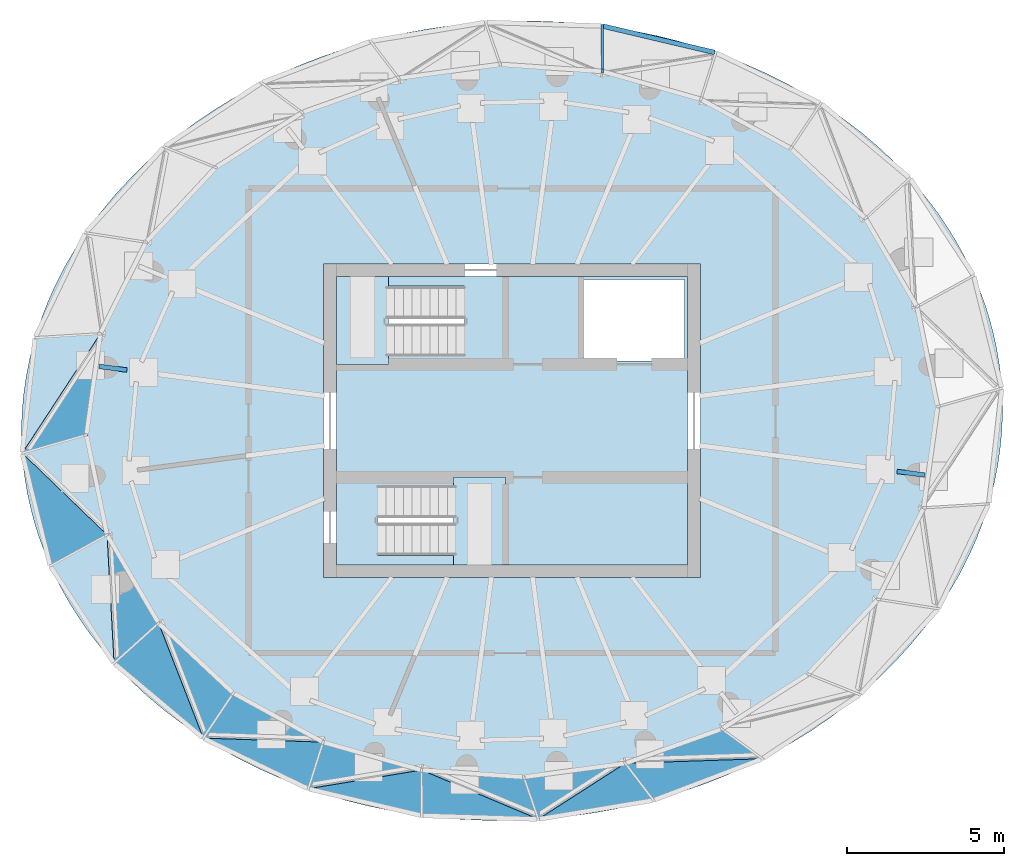
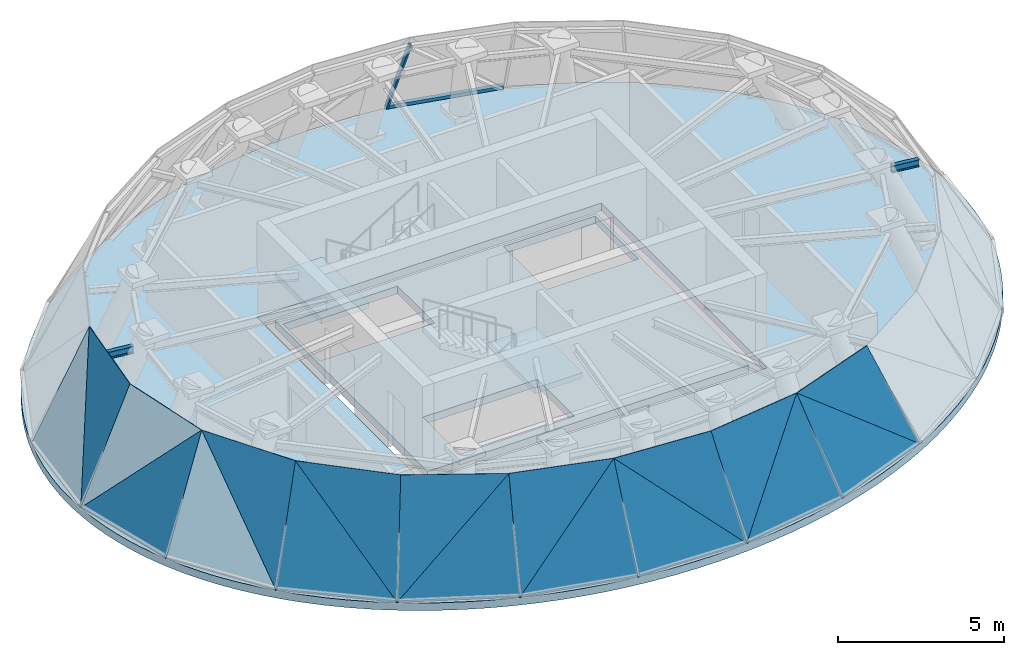
# One storey, part 5 of 8: 18 plates, 4 slabs, 2 beams, 2 members, 22 elements without a shape of their own.
"""IFC4 building model written with IfcOpenShell, lengths in metres."""

from ifc_helpers import new_model, si_unit, direction, frame, origin, origin_2d, place, context, subcontext, project, spatial, line, indexed_curve, rectangle, i_section, outline, extrude, source, transform, mapped, material, layer, layer_set, material_profile, profile_set, type_object, element, aggregate, save


model = new_model("IFC4")

# Units and contexts
model_context = context("Model", 3, precision=1e-05, world=origin(), true_north=direction((0.0, 1.0)))
body_context = subcontext(model_context, "Body", "Model", "MODEL_VIEW")
ifc_project = project(units=[si_unit("LENGTHUNIT", "METRE"), si_unit("AREAUNIT", "SQUARE_METRE"), si_unit("VOLUMEUNIT", "CUBIC_METRE"), si_unit("PLANEANGLEUNIT", "RADIAN"), si_unit("MASSUNIT", "GRAM", prefix="KILO")], contexts=[model_context])

# Site, building, storey
site_placement = place(None, origin())
site = spatial("IfcSite", under=ifc_project, at=site_placement, CompositionType="ELEMENT")
building_placement = place(site_placement, origin())
building = spatial("IfcBuilding", under=site, at=building_placement, Name="Spindrift Exchange Tower", CompositionType="ELEMENT")
storey_placement = place(building_placement, frame((0.0, 0.0, 280.10009765625)))
storey = spatial("IfcBuildingStorey", under=building, at=storey_placement, Name="L69", CompositionType="ELEMENT", Elevation=280.10009765625)

# Beams
ifc_material_1 = material(Name="Steel Grade 300", Category="steel")
ifc_material_profile_1 = material_profile(ifc_material_1, i_section(OverallWidth=0.14599609375, OverallDepth=0.251953125, WebThickness=0.006103515625, FlangeThickness=0.008544921875, FilletRadius=0.011962890625, at=origin_2d()), Name="250UB31.4")
ifc_profile_set_1 = profile_set([ifc_material_profile_1], Name="Steel Grade 300")
beam_type = type_object("IfcBeamType", Name="Cantilever Beam 250UB31.4 Steel Grade 300", PredefinedType="BEAM", material=ifc_profile_set_1)
shared_shape_1 = source(origin(), body_context, "Body", "SweptSolid", [
    extrude(i_section(OverallWidth=0.14599609375, OverallDepth=0.251953125, WebThickness=0.006103515625, FlangeThickness=0.008544921875, FilletRadius=0.011962890625, at=origin_2d()), origin(), (0.0, 0.0, 1.0), 0.88671875),
])
for number, where, z_axis, x_axis, name in (
    (1, (39.7275390625, 49.61572265625, 3.093994140625), (-0.991447734454, 0.130504367157, 0.0), (-0.130504367157, -0.991447734454, 0.0), "L69 cantilever beam R12T"),
    (2, (64.2724609375, 46.38427734375, 3.093994140625), (0.991447734454, -0.130504367157, 0.0), (0.130504367157, 0.991447734454, 0.0), "L69 cantilever beam R24T"),
):
    element("IfcBeam", number, at=place(storey_placement, frame(where, z_axis=z_axis, x_axis=x_axis)), inside=storey, type_object=beam_type, Name=name, PredefinedType="BEAM", context=body_context, shape_type="MappedRepresentation", body=[
        mapped(shared_shape_1, transform((0.0, 0.0, 0.0), scale=1.0)),
    ])

# Curtain wall, member
ifc_material_2 = material(Name="Fritted laminated glass with bronze frame", Category="glass")
ifc_layer_1 = layer(ifc_material_2, 0.14990234375)
ifc_layer_set_1 = layer_set([ifc_layer_1], Name="CROWN BRONZE RAKED GLAZED WALL")
curtain_wall_type = type_object("IfcCurtainWallType", Name="CROWN BRONZE RAKED GLAZED WALL", PredefinedType="NOTDEFINED", material=ifc_layer_set_1)
curtain_wall_1_placement = place(storey_placement, origin())
curtain_wall_1 = element("IfcCurtainWall", 3, at=curtain_wall_1_placement, inside=storey, type_object=curtain_wall_type, Name="L69 Crown Bronze Raked Glazed Wall facet 9", PredefinedType="NOTDEFINED")
ifc_material_3 = material(Name="Bronze anodised aluminium", Category="aluminium")
ifc_material_profile_2 = material_profile(ifc_material_3, rectangle(XDim=0.14990234375, YDim=0.1201171875, at=origin_2d()), Name="CROWN BRONZE RAKED GLAZED WALL TRANSOM 150X120")
ifc_profile_set_2 = profile_set([ifc_material_profile_2], Name="Bronze anodised aluminium")
member_type_1 = type_object("IfcMemberType", Name="CROWN BRONZE RAKED GLAZED WALL TRANSOM 150X120", PredefinedType="USERDEFINED", material=ifc_profile_set_2)
shared_shape_2 = source(origin(), body_context, "Body", "SweptSolid", [
    extrude(rectangle(XDim=0.14990234375, YDim=0.1201171875, at=origin_2d()), origin(), (0.0, 0.0, 1.0), 3.646728515625),
])
member_1_placement = place(storey_placement, frame((58.45947265625, 59.737548828125, 0.059814453125), z_axis=(-0.973326660601, 0.229423651274, 0.0), x_axis=(-0.229423651274, -0.973326660601, 0.0)))
member_1 = element("IfcMember", 4, at=member_1_placement, type_object=member_type_1, Name="L69 transom CW-R.5a", ObjectType="TRANSOM", PredefinedType="USERDEFINED", context=body_context, shape_type="MappedRepresentation", body=[
    mapped(shared_shape_2, transform((0.0, 0.0, 0.0), scale=1.0)),
])
aggregate(curtain_wall_1, [member_1])

curtain_wall_2_placement = place(storey_placement, origin())
curtain_wall_2 = element("IfcCurtainWall", 5, at=curtain_wall_2_placement, inside=storey, type_object=curtain_wall_type, Name="L69 Crown Bronze Raked Glazed Wall facet 11", PredefinedType="NOTDEFINED")
ifc_material_profile_3 = material_profile(ifc_material_3, rectangle(XDim=0.070068359375, YDim=0.14990234375, at=origin_2d()), Name="CROWN BRONZE RAKED GLAZED WALL MULLION 70X150")
ifc_profile_set_3 = profile_set([ifc_material_profile_3], Name="Bronze anodised aluminium")
member_type_2 = type_object("IfcMemberType", Name="CROWN BRONZE RAKED GLAZED WALL MULLION 70X150", PredefinedType="MULLION", material=ifc_profile_set_3)
shared_shape_3 = source(origin(), body_context, "Body", "SweptSolid", [
    extrude(rectangle(XDim=0.070068359375, YDim=0.14990234375, at=origin_2d()), origin(), (0.0, 0.0, 1.0), 3.463134765625),
])
member_2_placement = place(storey_placement, frame((54.8759765625, 60.568359375, 0.03076171875), z_axis=(0.001550928875, -0.410150190619, 0.912016675152), x_axis=(0.999992850704, 0.003781341134, 0.0)))
member_2 = element("IfcMember", 6, at=member_2_placement, type_object=member_type_2, Name="L69 mullion CW-R.6", PredefinedType="MULLION", context=body_context, shape_type="MappedRepresentation", body=[
    mapped(shared_shape_3, transform((0.0, 0.0, 0.0), scale=1.0)),
])
aggregate(curtain_wall_2, [member_2])

# Curtain wall, plate
curtain_wall_3_placement = place(storey_placement, origin())
curtain_wall_3 = element("IfcCurtainWall", 7, at=curtain_wall_3_placement, inside=storey, type_object=curtain_wall_type, Name="L69 Crown Bronze Raked Glazed Wall facet 27", PredefinedType="NOTDEFINED")
ifc_material_4 = material(Name="Bronze fritted laminated glass, close frit", Category="glass")
ifc_layer_2 = layer(ifc_material_4, 0.030029296875)
ifc_layer_set_2 = layer_set([ifc_layer_2], Name="CROWN BRONZE RAKED GLAZED WALL PANEL CLOSE FRIT 300")
plate_type_1 = type_object("IfcPlateType", Name="CROWN BRONZE RAKED GLAZED WALL PANEL CLOSE FRIT 300", PredefinedType="CURTAIN_PANEL", material=ifc_layer_set_2)
plate_1_placement = place(storey_placement, frame((39.3173828125, 40.271728515625, 0.01513671875), z_axis=(-0.720461384078, -0.472102697085, 0.507990587961), x_axis=(-0.548088210831, 0.836420536063, 0.0)))
plate_1 = element("IfcPlate", 8, at=plate_1_placement, type_object=plate_type_1, Name="L69 panel CW-R.14a", PredefinedType="CURTAIN_PANEL", context=body_context, shape_type="SweptSolid", body=[
    extrude(outline(indexed_curve([(0.0, 0.0), (3.7080078125, 0.0), (3.544921875, -4.0458984375)], segments=[line(1, 2, 3, 1)], self_intersect=False)), origin(), (0.0, 0.0, -1.0), 0.030029296875),
])
aggregate(curtain_wall_3, [plate_1])

curtain_wall_4_placement = place(storey_placement, origin())
curtain_wall_4 = element("IfcCurtainWall", 9, at=curtain_wall_4_placement, inside=storey, type_object=curtain_wall_type, Name="L69 Crown Bronze Raked Glazed Wall facet 28", PredefinedType="NOTDEFINED")
plate_2_placement = place(storey_placement, frame((39.3173828125, 40.271728515625, 0.013916015625), z_axis=(-0.760926311868, -0.444429576648, 0.472729837547), x_axis=(-0.041657178729, 0.76053847004, 0.647955179815)))
plate_2 = element("IfcPlate", 10, at=plate_2_placement, type_object=plate_type_1, Name="L69 panel CW-R.14b", PredefinedType="CURTAIN_PANEL", context=body_context, shape_type="SweptSolid", body=[
    extrude(outline(indexed_curve([(0.0, 0.0), (5.3798828125, 0.0), (3.1728515625, -2.3955078125)], segments=[line(1, 2, 3, 1)], self_intersect=False)), origin(), (0.0, 0.0, -1.0), 0.030029296875),
])
aggregate(curtain_wall_4, [plate_2])

curtain_wall_5_placement = place(storey_placement, origin())
curtain_wall_5 = element("IfcCurtainWall", 11, at=curtain_wall_5_placement, inside=storey, type_object=curtain_wall_type, Name="L69 Crown Bronze Raked Glazed Wall facet 29", PredefinedType="NOTDEFINED")
plate_3_placement = place(storey_placement, frame((42.160400390625, 37.884521484375, 0.01416015625), z_axis=(-0.565176050454, -0.673090111223, 0.476996576683), x_axis=(-0.765827927913, 0.643045554241, 0.0)))
plate_3 = element("IfcPlate", 12, at=plate_3_placement, type_object=plate_type_1, Name="L69 panel CW-R.15a", PredefinedType="CURTAIN_PANEL", context=body_context, shape_type="SweptSolid", body=[
    extrude(outline(indexed_curve([(0.0, 0.0), (3.7119140625, 0.0), (3.4482421875, -3.9658203125)], segments=[line(1, 2, 3, 1)], self_intersect=False)), origin(), (0.0, 0.0, -1.0), 0.030029296875),
])
aggregate(curtain_wall_5, [plate_3])

curtain_wall_6_placement = place(storey_placement, origin())
curtain_wall_6 = element("IfcCurtainWall", 13, at=curtain_wall_6_placement, inside=storey, type_object=curtain_wall_type, Name="L69 Crown Bronze Raked Glazed Wall facet 30", PredefinedType="NOTDEFINED")
plate_4_placement = place(storey_placement, frame((42.160400390625, 37.884521484375, 0.012939453125), z_axis=(-0.614353124214, -0.655870744985, 0.438638580885), x_axis=(-0.270968098054, 0.697485075158, 0.663393442664)))
plate_4 = element("IfcPlate", 14, at=plate_4_placement, type_object=plate_type_1, Name="L69 panel CW-R.15b", PredefinedType="CURTAIN_PANEL", context=body_context, shape_type="SweptSolid", body=[
    extrude(outline(indexed_curve([(0.0, 0.0), (5.2568359375, 0.0), (3.056640625, -2.4072265625)], segments=[line(1, 2, 3, 1)], self_intersect=False)), origin(), (0.0, 0.0, -1.0), 0.030029296875),
])
aggregate(curtain_wall_6, [plate_4])

curtain_wall_7_placement = place(storey_placement, origin())
curtain_wall_7 = element("IfcCurtainWall", 15, at=curtain_wall_7_placement, inside=storey, type_object=curtain_wall_type, Name="L69 Crown Bronze Raked Glazed Wall facet 37", PredefinedType="NOTDEFINED")
plate_5_placement = place(storey_placement, frame((52.83984375, 35.3017578125, 0.010498046875), z_axis=(0.152314233821, -0.924220132844, 0.350167845785), x_axis=(0.986690497935, 0.162609536268, 0.0)))
plate_5 = element("IfcPlate", 16, at=plate_5_placement, type_object=plate_type_1, Name="L69 panel CW-R.19a", PredefinedType="CURTAIN_PANEL", context=body_context, shape_type="SweptSolid", body=[
    extrude(outline(indexed_curve([(0.0, 0.0), (3.7177734375, 0.0), (3.0234375, 3.7255859375)], segments=[line(1, 2, 3, 1)], self_intersect=False)), origin(), (0.0, 0.0, -1.0), 0.030029296875),
])
aggregate(curtain_wall_7, [plate_5])

curtain_wall_8_placement = place(storey_placement, origin())
curtain_wall_8 = element("IfcCurtainWall", 17, at=curtain_wall_8_placement, inside=storey, type_object=curtain_wall_type, Name="L69 Crown Bronze Raked Glazed Wall facet 38", PredefinedType="NOTDEFINED")
plate_6_placement = place(storey_placement, frame((52.83984375, 35.3017578125, 0.010986328125), z_axis=(0.124401420094, -0.920473265822, 0.370477062158), x_axis=(0.577628233344, 0.370769034283, 0.727238576576)))
plate_6 = element("IfcPlate", 18, at=plate_6_placement, type_object=plate_type_1, Name="L69 panel CW-R.19b", PredefinedType="CURTAIN_PANEL", context=body_context, shape_type="SweptSolid", body=[
    extrude(outline(indexed_curve([(0.0, 0.0), (4.7978515625, 0.0), (2.7666015625, 2.556640625)], segments=[line(1, 2, 3, 1)], self_intersect=False)), origin(), (0.0, 0.0, -1.0), 0.030029296875),
])
aggregate(curtain_wall_8, [plate_6])

curtain_wall_9_placement = place(storey_placement, origin())
curtain_wall_9 = element("IfcCurtainWall", 19, at=curtain_wall_9_placement, inside=storey, type_object=curtain_wall_type, Name="L69 Crown Bronze Raked Glazed Wall facet 23", PredefinedType="NOTDEFINED")
ifc_layer_3 = layer(ifc_material_4, 0.030029296875)
ifc_layer_set_3 = layer_set([ifc_layer_3], Name="CROWN BRONZE RAKED GLAZED WALL PANEL CLOSE FRIT 420")
plate_type_2 = type_object("IfcPlateType", Name="CROWN BRONZE RAKED GLAZED WALL PANEL CLOSE FRIT 420", PredefinedType="CURTAIN_PANEL", material=ifc_layer_set_3)
plate_7_placement = place(storey_placement, frame((36.390380859375, 46.967529296875, 0.01513671875), z_axis=(-0.856537581413, 0.096237624389, 0.507032238895), x_axis=(0.1116540198, 0.993747140807, 0.0)))
plate_7 = element("IfcPlate", 20, at=plate_7_placement, type_object=plate_type_2, Name="L69 panel CW-R.12a", PredefinedType="CURTAIN_PANEL", context=body_context, shape_type="SweptSolid", body=[
    extrude(outline(indexed_curve([(0.0, 0.0), (3.7041015625, 0.0), (4.0625, -4.04296875)], segments=[line(1, 2, 3, 1)], self_intersect=False)), origin(), (0.0, 0.0, -1.0), 0.030029296875),
])
aggregate(curtain_wall_9, [plate_7])

curtain_wall_10_placement = place(storey_placement, origin())
curtain_wall_10 = element("IfcCurtainWall", 21, at=curtain_wall_10_placement, inside=storey, type_object=curtain_wall_type, Name="L69 Crown Bronze Raked Glazed Wall facet 24", PredefinedType="NOTDEFINED")
plate_8_placement = place(storey_placement, frame((36.390380859375, 46.967529296875, 0.014404296875), z_axis=(-0.864918771348, 0.119527241989, 0.487471801638), x_axis=(0.434548861884, 0.664346069281, 0.608121358667)))
plate_8 = element("IfcPlate", 22, at=plate_8_placement, type_object=plate_type_2, Name="L69 panel CW-R.12b", PredefinedType="CURTAIN_PANEL", context=body_context, shape_type="SweptSolid", body=[
    extrude(outline(indexed_curve([(0.0, 0.0), (5.7314453125, 0.0), (3.396484375, -2.2666015625)], segments=[line(1, 2, 3, 1)], self_intersect=False)), origin(), (0.0, 0.0, -1.0), 0.030029296875),
])
aggregate(curtain_wall_10, [plate_8])

curtain_wall_11_placement = place(storey_placement, origin())
curtain_wall_11 = element("IfcCurtainWall", 23, at=curtain_wall_11_placement, inside=storey, type_object=curtain_wall_type, Name="L69 Crown Bronze Raked Glazed Wall facet 31", PredefinedType="NOTDEFINED")
plate_9_placement = place(storey_placement, frame((42.160400390625, 37.884521484375, 0.011962890625), z_axis=(-0.397307338456, -0.823702069412, 0.404551331299), x_axis=(0.900697972034, -0.434445811551, 0.0)))
plate_9 = element("IfcPlate", 24, at=plate_9_placement, type_object=plate_type_2, Name="L69 panel CW-R.16a", PredefinedType="CURTAIN_PANEL", context=body_context, shape_type="SweptSolid", body=[
    extrude(outline(indexed_curve([(0.0, 0.0), (3.71484375, 0.0), (3.494140625, 3.814453125)], segments=[line(1, 2, 3, 1)], self_intersect=False)), origin(), (0.0, 0.0, -1.0), 0.030029296875),
])
aggregate(curtain_wall_11, [plate_9])

curtain_wall_12_placement = place(storey_placement, origin())
curtain_wall_12 = element("IfcCurtainWall", 25, at=curtain_wall_12_placement, inside=storey, type_object=curtain_wall_type, Name="L69 Crown Bronze Raked Glazed Wall facet 32", PredefinedType="NOTDEFINED")
plate_10_placement = place(storey_placement, frame((42.160400390625, 37.884521484375, 0.01318359375), z_axis=(-0.430382330959, -0.786875538827, 0.442264553852), x_axis=(0.738167891383, -0.024829026146, 0.674159983677)))
plate_10 = element("IfcPlate", 26, at=plate_10_placement, type_object=plate_type_2, Name="L69 panel CW-R.16b", PredefinedType="CURTAIN_PANEL", context=body_context, shape_type="SweptSolid", body=[
    extrude(outline(indexed_curve([(0.0, 0.0), (5.171875, 0.0), (3.0205078125, 2.4521484375)], segments=[line(1, 2, 3, 1)], self_intersect=False)), origin(), (0.0, 0.0, -1.0), 0.030029296875),
])
aggregate(curtain_wall_12, [plate_10])

curtain_wall_13_placement = place(storey_placement, origin())
curtain_wall_13 = element("IfcCurtainWall", 27, at=curtain_wall_13_placement, inside=storey, type_object=curtain_wall_type, Name="L69 Crown Bronze Raked Glazed Wall facet 33", PredefinedType="NOTDEFINED")
plate_11_placement = place(storey_placement, frame((45.506591796875, 36.2705078125, 0.010986328125), z_axis=(-0.212764825705, -0.90259066341, 0.374247542768), x_axis=(0.973323189011, -0.229438378946, 0.0)))
plate_11 = element("IfcPlate", 28, at=plate_11_placement, type_object=plate_type_2, Name="L69 panel CW-R.17a", PredefinedType="CURTAIN_PANEL", context=body_context, shape_type="SweptSolid", body=[
    extrude(outline(indexed_curve([(0.0, 0.0), (3.716796875, 0.0), (3.37890625, 3.7626953125)], segments=[line(1, 2, 3, 1)], self_intersect=False)), origin(), (0.0, 0.0, -1.0), 0.030029296875),
])
aggregate(curtain_wall_13, [plate_11])

curtain_wall_14_placement = place(storey_placement, origin())
curtain_wall_14 = element("IfcCurtainWall", 29, at=curtain_wall_14_placement, inside=storey, type_object=curtain_wall_type, Name="L69 Crown Bronze Raked Glazed Wall facet 34", PredefinedType="NOTDEFINED")
plate_12_placement = place(storey_placement, frame((45.506591796875, 36.2705078125, 0.01220703125), z_axis=(-0.249057583816, -0.878428215142, 0.407840889057), x_axis=(0.714371225151, 0.117717948423, 0.689794344204)))
plate_12 = element("IfcPlate", 30, at=plate_12_placement, type_object=plate_type_2, Name="L69 panel CW-R.17b", PredefinedType="CURTAIN_PANEL", context=body_context, shape_type="SweptSolid", body=[
    extrude(outline(indexed_curve([(0.0, 0.0), (5.056640625, 0.0), (2.91796875, 2.4658203125)], segments=[line(1, 2, 3, 1)], self_intersect=False)), origin(), (0.0, 0.0, -1.0), 0.030029296875),
])
aggregate(curtain_wall_14, [plate_12])

curtain_wall_15_placement = place(storey_placement, origin())
curtain_wall_15 = element("IfcCurtainWall", 31, at=curtain_wall_15_placement, inside=storey, type_object=curtain_wall_type, Name="L69 Crown Bronze Raked Glazed Wall facet 39", PredefinedType="NOTDEFINED")
plate_13_placement = place(storey_placement, frame((59.981689453125, 37.227783203125, 0.01123046875), z_axis=(0.329444742314, -0.866002076185, 0.376173584672), x_axis=(-0.934653085919, -0.355560977868, 0.0)))
plate_13 = element("IfcPlate", 32, at=plate_13_placement, type_object=plate_type_2, Name="L69 panel CW-R.20a", PredefinedType="CURTAIN_PANEL", context=body_context, shape_type="SweptSolid", body=[
    extrude(outline(indexed_curve([(0.0, 0.0), (3.716796875, 0.0), (4.1376953125, -3.765625)], segments=[line(1, 2, 3, 1)], self_intersect=False)), origin(), (0.0, 0.0, -1.0), 0.030029296875),
])
aggregate(curtain_wall_15, [plate_13])

curtain_wall_16_placement = place(storey_placement, origin())
curtain_wall_16 = element("IfcCurtainWall", 33, at=curtain_wall_16_placement, inside=storey, type_object=curtain_wall_type, Name="L69 Crown Bronze Raked Glazed Wall facet 40", PredefinedType="NOTDEFINED")
plate_14_placement = place(storey_placement, frame((59.981689453125, 37.227783203125, 0.010498046875), z_axis=(0.313770480598, -0.880290807006, 0.355859776607), x_axis=(-0.781206853653, -0.026313693037, 0.623717437117)))
plate_14 = element("IfcPlate", 34, at=plate_14_placement, type_object=plate_type_2, Name="L69 panel CW-R.20b", PredefinedType="CURTAIN_PANEL", context=body_context, shape_type="SweptSolid", body=[
    extrude(outline(indexed_curve([(0.0, 0.0), (5.5947265625, 0.0), (3.1640625, -2.1787109375)], segments=[line(1, 2, 3, 1)], self_intersect=False)), origin(), (0.0, 0.0, -1.0), 0.030029296875),
])
aggregate(curtain_wall_16, [plate_14])

curtain_wall_17_placement = place(storey_placement, origin())
curtain_wall_17 = element("IfcCurtainWall", 35, at=curtain_wall_17_placement, inside=storey, type_object=curtain_wall_type, Name="L69 Crown Bronze Raked Glazed Wall facet 25", PredefinedType="NOTDEFINED")
ifc_layer_4 = layer(ifc_material_4, 0.030029296875)
ifc_layer_set_4 = layer_set([ifc_layer_4], Name="CROWN BRONZE RAKED GLAZED WALL PANEL CLOSE FRIT 540")
plate_type_3 = type_object("IfcPlateType", Name="CROWN BRONZE RAKED GLAZED WALL PANEL CLOSE FRIT 540", PredefinedType="CURTAIN_PANEL", material=ifc_layer_set_4)
plate_15_placement = place(storey_placement, frame((36.390380859375, 46.967529296875, 0.014892578125), z_axis=(-0.842288613629, -0.209671111115, 0.496576194068), x_axis=(0.241558489936, -0.970386261207, 0.0)))
plate_15 = element("IfcPlate", 36, at=plate_15_placement, type_object=plate_type_3, Name="L69 panel CW-R.13a", PredefinedType="CURTAIN_PANEL", context=body_context, shape_type="SweptSolid", body=[
    extrude(outline(indexed_curve([(0.0, 0.0), (3.7041015625, 0.0), (3.1796875, 4.0146484375)], segments=[line(1, 2, 3, 1)], self_intersect=False)), origin(), (0.0, 0.0, -1.0), 0.030029296875),
])
aggregate(curtain_wall_17, [plate_15])

curtain_wall_18_placement = place(storey_placement, origin())
curtain_wall_18 = element("IfcCurtainWall", 37, at=curtain_wall_18_placement, inside=storey, type_object=curtain_wall_type, Name="L69 Crown Bronze Raked Glazed Wall facet 26", PredefinedType="NOTDEFINED")
plate_16_placement = place(storey_placement, frame((36.390380859375, 46.967529296875, 0.015380859375), z_axis=(-0.836592289288, -0.172610831534, 0.519921957932), x_axis=(0.527759754911, -0.508453215236, 0.680400594512)))
plate_16 = element("IfcPlate", 38, at=plate_16_placement, type_object=plate_type_3, Name="L69 panel CW-R.13b", PredefinedType="CURTAIN_PANEL", context=body_context, shape_type="SweptSolid", body=[
    extrude(outline(indexed_curve([(0.0, 0.0), (5.12109375, 0.0), (3.1533203125, 2.5927734375)], segments=[line(1, 2, 3, 1)], self_intersect=False)), origin(), (0.0, 0.0, -1.0), 0.030029296875),
])
aggregate(curtain_wall_18, [plate_16])

curtain_wall_19_placement = place(storey_placement, origin())
curtain_wall_19 = element("IfcCurtainWall", 39, at=curtain_wall_19_placement, inside=storey, type_object=curtain_wall_type, Name="L69 Crown Bronze Raked Glazed Wall facet 35", PredefinedType="NOTDEFINED")
plate_17_placement = place(storey_placement, frame((52.83984375, 35.3017578125, 0.011474609375), z_axis=(-0.028814951632, -0.923231050284, 0.383163315512), x_axis=(-0.999513292725, 0.031195795653, 0.0)))
plate_17 = element("IfcPlate", 40, at=plate_17_placement, type_object=plate_type_3, Name="L69 panel CW-R.18a", PredefinedType="CURTAIN_PANEL", context=body_context, shape_type="SweptSolid", body=[
    extrude(outline(indexed_curve([(0.0, 0.0), (3.7177734375, 0.0), (3.7685546875, -3.7763671875)], segments=[line(1, 2, 3, 1)], self_intersect=False)), origin(), (0.0, 0.0, -1.0), 0.030029296875),
])
aggregate(curtain_wall_19, [plate_17])

curtain_wall_20_placement = place(storey_placement, origin())
curtain_wall_20 = element("IfcCurtainWall", 41, at=curtain_wall_20_placement, inside=storey, type_object=curtain_wall_type, Name="L69 Crown Bronze Raked Glazed Wall facet 36", PredefinedType="NOTDEFINED")
plate_18_placement = place(storey_placement, frame((52.83984375, 35.3017578125, 0.010498046875), z_axis=(-0.06379986533, -0.934307358249, 0.350712613838), x_axis=(-0.697411695467, 0.293112407897, 0.653989329701)))
plate_18 = element("IfcPlate", 42, at=plate_18_placement, type_object=plate_type_3, Name="L69 panel CW-R.18b", PredefinedType="CURTAIN_PANEL", context=body_context, shape_type="SweptSolid", body=[
    extrude(outline(indexed_curve([(0.0, 0.0), (5.3359375, 0.0), (2.9990234375, -2.2802734375)], segments=[line(1, 2, 3, 1)], self_intersect=False)), origin(), (0.0, 0.0, -1.0), 0.030029296875),
])
aggregate(curtain_wall_20, [plate_18])

# Slabs
ifc_material_5 = material(Name="Concrete 40 MPa", Category="concrete")
ifc_layer_5 = layer(ifc_material_5, 0.280029296875)
ifc_layer_set_5 = layer_set([ifc_layer_5], Name="RC Floor Slab 280 Concrete 40 MPa")
slab_type_1 = type_object("IfcSlabType", Name="RC Floor Slab 280 Concrete 40 MPa", PredefinedType="FLOOR", material=ifc_layer_set_5)
slab_1_placement = place(storey_placement, frame((0.0, 0.0, -0.280029296875)))
element("IfcSlab", 43, at=slab_1_placement, inside=storey, type_object=slab_type_1, Name="Floor slab L69", PredefinedType="FLOOR", context=body_context, shape_type="SweptSolid", body=[
    extrude(outline(indexed_curve([(67.609619140625, 49.032470703125), (67.565185546875, 49.52685546875), (67.533935546875, 49.773193359375), (67.453857421875, 50.26318359375), (67.3505859375, 50.74853515625), (67.224609375, 51.228759765625), (67.1533203125, 51.466552734375), (67.076416015625, 51.702392578125), (66.90625, 52.168701171875), (66.71484375, 52.626953125), (66.503173828125, 53.075927734375), (66.389892578125, 53.296630859375), (66.148681640625, 53.730712890625), (65.88916015625, 54.15380859375), (65.752685546875, 54.361083984375), (65.467041015625, 54.76708984375), (65.0078125, 55.353271484375), (64.514404296875, 55.910888671875), (64.16796875, 56.2666015625), (63.623779296875, 56.774658203125), (63.052734375, 57.252685546875), (62.457275390625, 57.699462890625), (62.0478515625, 57.980224609375), (61.416748046875, 58.37548828125), (60.76708984375, 58.739501953125), (60.101318359375, 59.072509765625), (59.420654296875, 59.37451171875), (58.727294921875, 59.64599609375), (58.0224609375, 59.88671875), (57.308349609375, 60.09716796875), (56.585693359375, 60.27734375), (55.8564453125, 60.427734375), (55.12158203125, 60.548583984375), (54.3828125, 60.6396484375), (53.640625, 60.70166015625), (52.896728515625, 60.734375), (52.152099609375, 60.73828125), (51.65576171875, 60.724609375), (51.16015625, 60.6982421875), (50.665283203125, 60.6591796875), (50.17138671875, 60.607177734375), (49.433837890625, 60.50537109375), (48.70068359375, 60.375), (47.973388671875, 60.2158203125), (47.252685546875, 60.028076171875), (46.540283203125, 59.8115234375), (45.837158203125, 59.56640625), (45.144775390625, 59.29248046875), (44.46435546875, 58.989990234375), (43.797607421875, 58.658447265625), (43.14599609375, 58.298095703125), (42.510986328125, 57.908935546875), (41.894775390625, 57.4912109375), (41.298583984375, 57.044921875), (40.72509765625, 56.56982421875), (40.356201171875, 56.23779296875), (39.82470703125, 55.71630859375), (39.32177734375, 55.167236328125), (38.84912109375, 54.591796875), (38.552490234375, 54.19384765625), (38.136962890625, 53.575927734375), (37.759033203125, 52.9345703125), (37.641845703125, 52.715576171875), (37.421142578125, 52.27099609375), (37.2197265625, 51.8173828125), (37.037841796875, 51.355224609375), (36.95458984375, 51.12158203125), (36.803955078125, 50.6484375), (36.736572265625, 50.40966796875), (36.6181640625, 49.927490234375), (36.522216796875, 49.4404296875), (36.448974609375, 48.949462890625), (36.4208984375, 48.702880859375), (36.382568359375, 48.2080078125), (36.372314453125, 47.9599609375), (36.369384765625, 47.46337890625), (36.390380859375, 46.967529296875), (36.434814453125, 46.47314453125), (36.466064453125, 46.226806640625), (36.546142578125, 45.73681640625), (36.6494140625, 45.25146484375), (36.775390625, 44.771240234375), (36.8466796875, 44.533447265625), (36.923583984375, 44.297607421875), (37.09375, 43.831298828125), (37.28515625, 43.373046875), (37.496826171875, 42.924072265625), (37.610107421875, 42.703369140625), (37.851318359375, 42.269287109375), (38.11083984375, 41.84619140625), (38.247314453125, 41.638916015625), (38.532958984375, 41.23291015625), (38.9921875, 40.646728515625), (39.485595703125, 40.089111328125), (39.83203125, 39.7333984375), (40.376220703125, 39.225341796875), (40.947265625, 38.747314453125), (41.542724609375, 38.300537109375), (41.9521484375, 38.019775390625), (42.583251953125, 37.62451171875), (43.23291015625, 37.260498046875), (43.898681640625, 36.927490234375), (44.579345703125, 36.62548828125), (45.272705078125, 36.35400390625), (45.9775390625, 36.11328125), (46.691650390625, 35.90283203125), (47.414306640625, 35.72265625), (48.1435546875, 35.572265625), (48.87841796875, 35.451416015625), (49.6171875, 35.3603515625), (50.359375, 35.29833984375), (51.103271484375, 35.265625), (51.847900390625, 35.26171875), (52.34423828125, 35.275390625), (52.83984375, 35.3017578125), (53.334716796875, 35.3408203125), (53.82861328125, 35.392822265625), (54.566162109375, 35.49462890625), (55.29931640625, 35.625), (56.026611328125, 35.7841796875), (56.747314453125, 35.971923828125), (57.459716796875, 36.1884765625), (58.162841796875, 36.43359375), (58.855224609375, 36.70751953125), (59.53564453125, 37.010009765625), (60.202392578125, 37.341552734375), (60.85400390625, 37.701904296875), (61.489013671875, 38.091064453125), (62.105224609375, 38.5087890625), (62.701416015625, 38.955078125), (63.27490234375, 39.43017578125), (63.643798828125, 39.76220703125), (64.17529296875, 40.28369140625), (64.67822265625, 40.832763671875), (65.15087890625, 41.408203125), (65.447509765625, 41.80615234375), (65.863037109375, 42.424072265625), (66.240966796875, 43.0654296875), (66.358154296875, 43.284423828125), (66.578857421875, 43.72900390625), (66.7802734375, 44.1826171875), (66.962158203125, 44.644775390625), (67.04541015625, 44.87841796875), (67.196044921875, 45.3515625), (67.263427734375, 45.59033203125), (67.3818359375, 46.072509765625), (67.477783203125, 46.5595703125), (67.551025390625, 47.050537109375), (67.60107421875, 47.54443359375), (67.617431640625, 47.7919921875), (67.627685546875, 48.0400390625), (67.630615234375, 48.53662109375)], segments=[line(1, 2, 3, 4, 5, 6, 7, 8, 9, 10, 11, 12, 13, 14, 15, 16, 17, 18, 19, 20, 21, 22, 23, 24, 25, 26, 27, 28, 29, 30, 31, 32, 33, 34, 35, 36, 37, 38, 39, 40, 41, 42, 43, 44, 45, 46, 47, 48, 49, 50, 51, 52, 53, 54, 55, 56, 57, 58, 59, 60, 61, 62, 63, 64, 65, 66, 67, 68, 69, 70, 71, 72, 73, 74, 75, 76, 77, 78, 79, 80, 81, 82, 83, 84, 85, 86, 87, 88, 89, 90, 91, 92, 93, 94, 95, 96, 97, 98, 99, 100, 101, 102, 103, 104, 105, 106, 107, 108, 109, 110, 111, 112, 113, 114, 115, 116, 117, 118, 119, 120, 121, 122, 123, 124, 125, 126, 127, 128, 129, 130, 131, 132, 133, 134, 135, 136, 137, 138, 139, 140, 141, 142, 143, 144, 145, 146, 147, 148, 149, 150, 151, 152, 1)], self_intersect=False), holes=[indexed_curve([(46.0, 43.0), (58.0, 43.0), (58.0, 53.0), (46.0, 53.0)], segments=[line(1, 2, 3, 4, 1)], self_intersect=False)]), origin(), (0.0, 0.0, 1.0), 0.280029296875),
])
ifc_material_6 = material(Name="Concrete 50 MPa", Category="concrete")
ifc_layer_6 = layer(ifc_material_6, 0.280029296875)
ifc_layer_set_6 = layer_set([ifc_layer_6], Name="SL-CORE-FLOOR-280")
slab_type_2 = type_object("IfcSlabType", Name="SL-CORE-FLOOR-280", PredefinedType="FLOOR", material=ifc_layer_set_6)
slab_2_placement = place(storey_placement, frame((0.0, 0.0, -0.280029296875)))
element("IfcSlab", 44, at=slab_2_placement, inside=storey, type_object=slab_type_2, Name="L69 Core floor slab", PredefinedType="FLOOR", context=body_context, shape_type="SweptSolid", body=[
    extrude(outline(indexed_curve([(46.39990234375, 43.39990234375), (46.39990234375, 52.60009765625), (57.60009765625, 52.60009765625), (57.60009765625, 43.39990234375)], segments=[line(1, 2, 3, 4, 1)], self_intersect=False), holes=[indexed_curve([(47.7060546875, 43.7060546875), (51.694091796875, 43.7060546875), (51.694091796875, 45.944091796875), (47.7060546875, 45.944091796875)], segments=[line(1, 2, 3, 4, 1)], self_intersect=False), indexed_curve([(50.493896484375, 50.055908203125), (50.493896484375, 52.2939453125), (46.506103515625, 52.2939453125), (46.506103515625, 50.055908203125)], segments=[line(1, 2, 3, 4, 1)], self_intersect=False), indexed_curve([(54.300048828125, 49.89990234375), (57.5, 49.89990234375), (57.5, 52.5), (54.300048828125, 52.5)], segments=[line(1, 2, 3, 4, 1)], self_intersect=False)]), origin(), (0.0, 0.0, 1.0), 0.280029296875),
])

# Stair, slab
stair_type = type_object("IfcStairType", Name="ST-1050-R175", PredefinedType="HALF_TURN_STAIR", material=ifc_material_6)
stair_1_placement = place(storey_placement, origin())
stair_1 = element("IfcStair", 45, at=stair_1_placement, inside=storey, type_object=stair_type, Name="L69 Exit stair ST3", PredefinedType="HALF_TURN_STAIR")
ifc_layer_7 = layer(ifc_material_6, 0.199951171875)
ifc_layer_set_7 = layer_set([ifc_layer_7], Name="SL-LANDING")
slab_type_3 = type_object("IfcSlabType", Name="SL-LANDING", PredefinedType="LANDING", material=ifc_layer_set_7)
slab_3_placement = place(storey_placement, frame((0.0, 0.0, 1.5498046875)))
slab_3 = element("IfcSlab", 46, at=slab_3_placement, type_object=slab_type_3, Name="ST3 landing 1", PredefinedType="LANDING", context=body_context, shape_type="SweptSolid", body=[
    extrude(outline(indexed_curve([(48.06005859375, 49.800048828125), (46.39990234375, 49.800048828125), (46.39990234375, 52.60009765625), (48.06005859375, 52.60009765625)], segments=[line(1, 2, 3, 4, 1)], self_intersect=False)), origin(), (0.0, 0.0, 1.0), 0.2001953125),
])
aggregate(stair_1, [slab_3])

stair_2_placement = place(storey_placement, origin())
stair_2 = element("IfcStair", 47, at=stair_2_placement, inside=storey, type_object=stair_type, Name="L69 Exit stair ST4", PredefinedType="HALF_TURN_STAIR")
slab_4_placement = place(storey_placement, frame((0.0, 0.0, 1.5498046875)))
slab_4 = element("IfcSlab", 48, at=slab_4_placement, type_object=slab_type_3, Name="ST4 landing 1", PredefinedType="LANDING", context=body_context, shape_type="SweptSolid", body=[
    extrude(outline(indexed_curve([(50.139892578125, 46.199951171875), (51.800048828125, 46.199951171875), (51.800048828125, 43.39990234375), (50.139892578125, 43.39990234375)], segments=[line(1, 2, 3, 4, 1)], self_intersect=False)), origin(), (0.0, 0.0, 1.0), 0.2001953125),
])
aggregate(stair_2, [slab_4])

save(model, "model.ifc")
